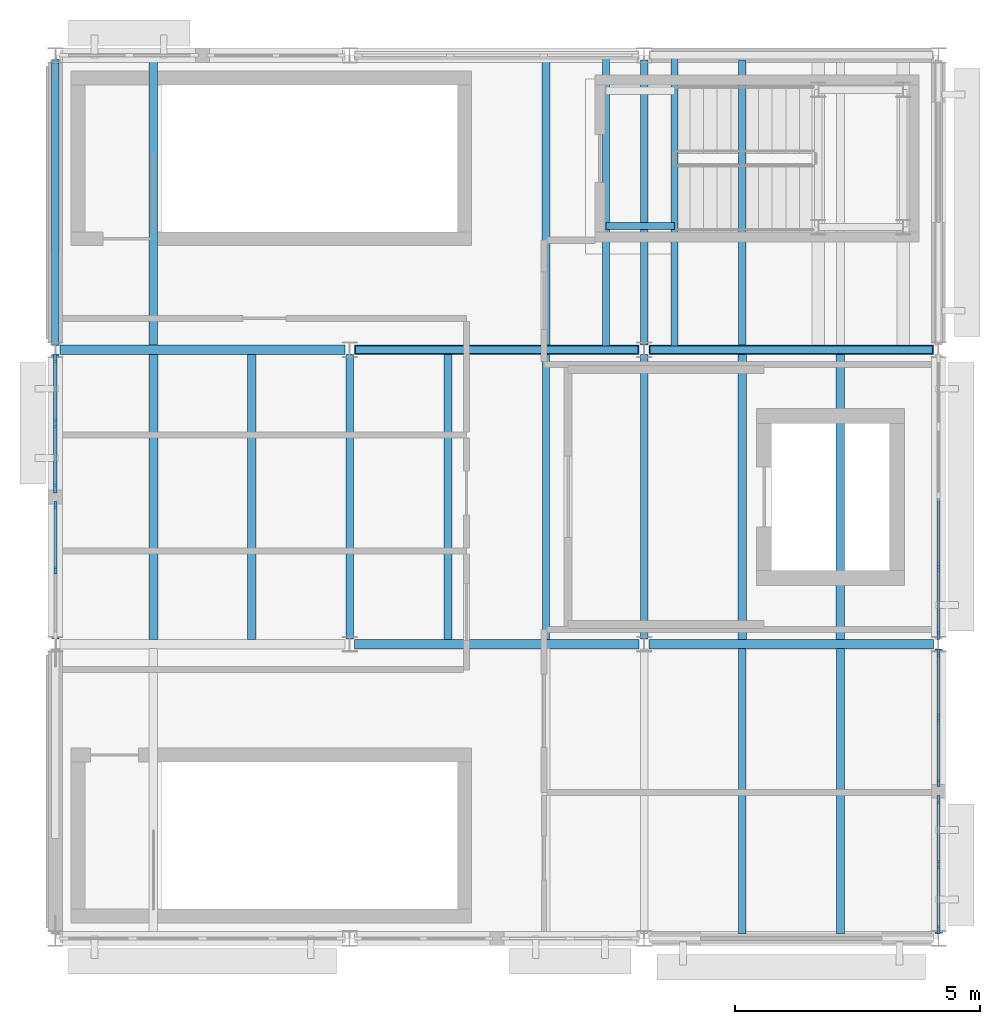
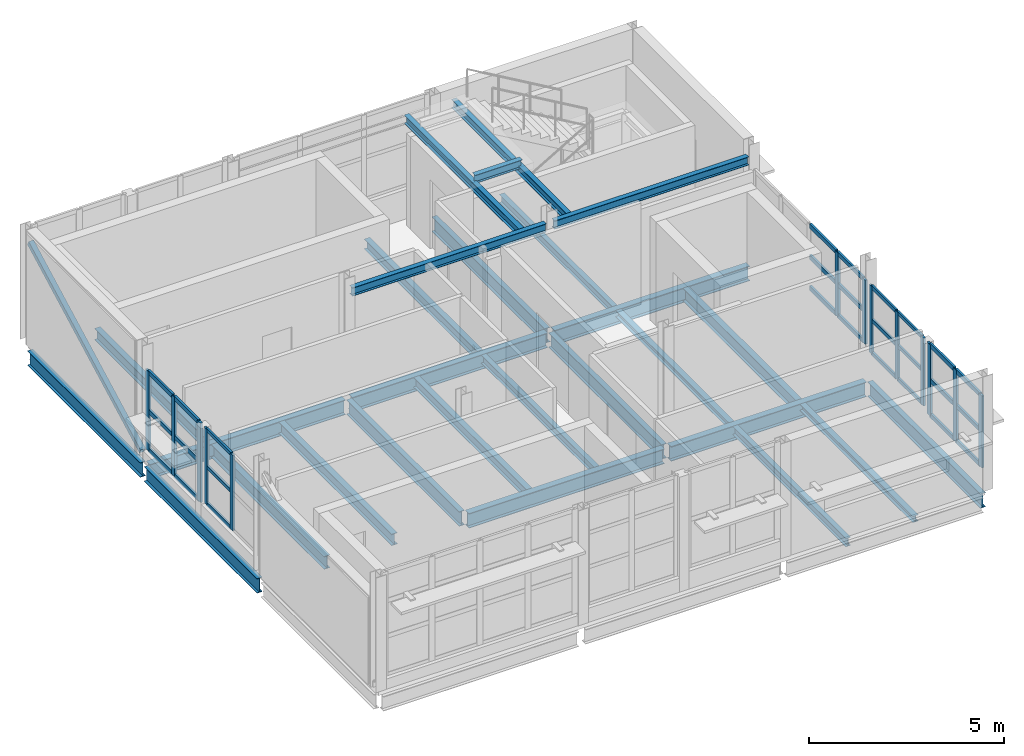
# One storey, part 2 of 8: 41 members, 27 beams, 5 elements without a shape of their own.
"""IFC4 building model written with IfcOpenShell, lengths in metres."""

from ifc_helpers import new_model, si_unit, direction, frame, origin, origin_2d, place, context, subcontext, project, spatial, rectangle, hollow_rectangle, i_section, extrude, material, material_profile, profile_set, type_object, element, aggregate, save


model = new_model("IFC4")

# Units and contexts
model_context = context("Model", 3, precision=1e-05, world=origin(), true_north=direction((0.0, 1.0)))
body_context = subcontext(model_context, "Body", "Model", "MODEL_VIEW")
ifc_project = project(units=[si_unit("LENGTHUNIT", "METRE"), si_unit("AREAUNIT", "SQUARE_METRE"), si_unit("VOLUMEUNIT", "CUBIC_METRE"), si_unit("PLANEANGLEUNIT", "RADIAN"), si_unit("MASSUNIT", "GRAM", prefix="KILO")], contexts=[model_context])

# Site, building, storey
site_placement = place(None, origin())
site = spatial("IfcSite", under=ifc_project, at=site_placement, CompositionType="ELEMENT")
building_placement = place(site_placement, origin())
building = spatial("IfcBuilding", under=site, at=building_placement, Name="Siltcreek Boulevard Central Fire Station", CompositionType="ELEMENT")
storey_placement = place(building_placement, frame((0.0, 0.0, 21.60009765625)))
storey = spatial("IfcBuildingStorey", under=building, at=storey_placement, Name="L06", CompositionType="ELEMENT", Elevation=21.60009765625)

# Beams
ifc_material_1 = material(Name="Structural steel ASTM A992 Gr50", Category="steel")
ifc_material_profile_1 = material_profile(ifc_material_1, i_section(OverallWidth=0.154052734375, OverallDepth=0.458984375, WebThickness=0.009033203125, FlangeThickness=0.015380859375, at=origin_2d()), Name="W460X68")
ifc_profile_set_1 = profile_set([ifc_material_profile_1], Name="Structural steel ASTM A992 Gr50")
beam_type_1 = type_object("IfcBeamType", Name="BM_W460X68", PredefinedType="BEAM", material=ifc_profile_set_1)
for number, where, z_axis, x_axis, name in (
    (1, (42.0, 100.300048828125, -0.469482421875), (0.0, 1.0, 0.0), (-1.0, 0.0, 0.0), "L06 primary steel girder GY-0676"),
    (2, (42.0, 106.300048828125, -0.469482421875), (0.0, 1.0, 0.0), (-1.0, 0.0, 0.0), "L06 primary steel girder GY-0677"),
    (3, (48.0, 100.300048828125, -0.469482421875), (0.0, 1.0, 0.0), (-1.0, 0.0, 0.0), "L06 primary steel girder GY-0678"),
    (4, (54.0, 100.300048828125, -0.469482421875), (0.0, 1.0, 0.0), (-1.0, 0.0, 0.0), "L06 primary steel girder GY-0680"),
    (5, (54.0, 106.300048828125, -0.469482421875), (0.0, 1.0, 0.0), (-1.0, 0.0, 0.0), "L06 primary steel girder GY-0681"),
    (6, (60.0, 94.300048828125, -0.469482421875), (0.0, 1.0, 0.0), (-1.0, 0.0, 0.0), "L06 primary steel girder GY-0682"),
):
    element("IfcBeam", number, at=place(storey_placement, frame(where, z_axis=z_axis, x_axis=x_axis)), inside=storey, type_object=beam_type_1, Name=name, PredefinedType="BEAM", context=body_context, shape_type="SweptSolid", body=[
        extrude(i_section(OverallWidth=0.154052734375, OverallDepth=0.458984375, WebThickness=0.009033203125, FlangeThickness=0.015380859375, at=origin_2d()), origin(), (0.0, 0.0, 1.0), 5.800048828125),
    ])
ifc_material_profile_2 = material_profile(ifc_material_1, i_section(OverallWidth=0.19189453125, OverallDepth=0.462890625, WebThickness=0.010498046875, FlangeThickness=0.017578125, at=origin_2d()), Name="W460X89")
ifc_profile_set_2 = profile_set([ifc_material_profile_2], Name="Structural steel ASTM A992 Gr50")
beam_type_2 = type_object("IfcBeamType", Name="BM_W460X89", PredefinedType="BEAM", material=ifc_profile_set_2)
for number, where, z_axis, x_axis, name in (
    (7, (48.10009765625, 100.199951171875, -0.4716796875), (1.0, 0.0, 0.0), (0.0, 1.0, 0.0), "L06 primary steel girder GX-0667"),
    (8, (54.10009765625, 100.199951171875, -0.4716796875), (1.0, 0.0, 0.0), (0.0, 1.0, 0.0), "L06 primary steel girder GX-0668"),
    (9, (42.10009765625, 106.199951171875, -0.4716796875), (1.0, 0.0, 0.0), (0.0, 1.0, 0.0), "L06 primary steel girder GX-0669"),
    (10, (48.10009765625, 106.199951171875, -0.4716796875), (1.0, 0.0, 0.0), (0.0, 1.0, 0.0), "L06 primary steel girder GX-0670"),
    (11, (54.10009765625, 106.199951171875, -0.4716796875), (1.0, 0.0, 0.0), (0.0, 1.0, 0.0), "L06 primary steel girder GX-0671"),
):
    element("IfcBeam", number, at=place(storey_placement, frame(where, z_axis=z_axis, x_axis=x_axis)), inside=storey, type_object=beam_type_2, Name=name, PredefinedType="BEAM", context=body_context, shape_type="SweptSolid", body=[
        extrude(i_section(OverallWidth=0.19189453125, OverallDepth=0.462890625, WebThickness=0.010498046875, FlangeThickness=0.017578125, at=origin_2d()), origin(), (0.0, 0.0, 1.0), 5.7998046875),
    ])

# Member
ifc_material_2 = material(Name="Structural steel ASTM A500 GrC", Category="steel")
ifc_material_profile_3 = material_profile(ifc_material_2, hollow_rectangle(XDim=0.14990234375, YDim=0.14990234375, WallThickness=0.00634765625, at=origin_2d()), Name="HSS150X150X6.4")
ifc_profile_set_3 = profile_set([ifc_material_profile_3], Name="Structural steel ASTM A500 GrC")
member_type_1 = type_object("IfcMemberType", Name="BR_HSS150_6", PredefinedType="BRACE", material=ifc_profile_set_3)
member_1_placement = place(storey_placement, frame((42.0, 106.320068359375, 0.099853515625), z_axis=(0.0, 0.883747822863, 0.467963444709), x_axis=(-1.0, 0.0, 0.0)))
element("IfcMember", 12, at=member_1_placement, inside=storey, type_object=member_type_1, Name="L06 SCBF concentrically braced frame BR-024", PredefinedType="BRACE", context=body_context, shape_type="SweptSolid", body=[
    extrude(hollow_rectangle(XDim=0.14990234375, YDim=0.14990234375, WallThickness=0.00634765625, at=origin_2d()), origin(), (0.0, 0.0, 1.0), 6.517822265625),
])

# Curtain wall, members
ifc_material_3 = material(Name="Anodized aluminum and low-E insulated glazing", Category="aluminium")
curtain_wall_type_1 = type_object("IfcCurtainWallType", Name="CW_SYS_26", PredefinedType="USERDEFINED", material=ifc_material_3)
curtain_wall_1_placement = place(storey_placement, origin())
curtain_wall_1 = element("IfcCurtainWall", 13, at=curtain_wall_1_placement, inside=storey, type_object=curtain_wall_type_1, Name="L06 V3 unitised curtain wall CW-085", ObjectType="CURTAIN WALL", PredefinedType="USERDEFINED")
ifc_material_4 = material(Name="Anodized 6063-T6 aluminum framing", Category="aluminium")
ifc_material_profile_4 = material_profile(ifc_material_4, rectangle(XDim=0.06005859375, YDim=0.14990234375, at=origin_2d()), Name="MULL60X150")
ifc_profile_set_4 = profile_set([ifc_material_profile_4], Name="Anodized 6063-T6 aluminum framing")
member_type_2 = type_object("IfcMemberType", Name="CWM_60X150", PredefinedType="MULLION", material=ifc_profile_set_4)
member_2_placement = place(storey_placement, frame((42.0, 103.030029296875, 0.43994140625), z_axis=(0.0, 0.0, 1.0), x_axis=(1.0, 0.0, 0.0)))
member_2 = element("IfcMember", 14, at=member_2_placement, type_object=member_type_2, Name="CW-085 mullion 1", PredefinedType="MULLION", context=body_context, shape_type="SweptSolid", body=[
    extrude(rectangle(XDim=0.06005859375, YDim=0.14990234375, at=origin_2d()), origin(), (0.0, 0.0, 1.0), 2.372802734375),
])
member_3_placement = place(storey_placement, frame((42.0, 101.702392578125, 0.43994140625), z_axis=(0.0, 0.0, 1.0), x_axis=(1.0, 0.0, 0.0)))
member_3 = element("IfcMember", 15, at=member_3_placement, type_object=member_type_2, Name="CW-085 mullion 2", PredefinedType="MULLION", context=body_context, shape_type="SweptSolid", body=[
    extrude(rectangle(XDim=0.06005859375, YDim=0.14990234375, at=origin_2d()), origin(), (0.0, 0.0, 1.0), 2.372802734375),
])

curtain_wall_type_2 = type_object("IfcCurtainWallType", Name="CW_SYS_28", PredefinedType="USERDEFINED", material=ifc_material_3)
curtain_wall_2_placement = place(storey_placement, origin())
curtain_wall_2 = element("IfcCurtainWall", 16, at=curtain_wall_2_placement, inside=storey, type_object=curtain_wall_type_2, Name="L06 V3 unitised curtain wall CW-087", ObjectType="CURTAIN WALL", PredefinedType="USERDEFINED")
member_4_placement = place(storey_placement, frame((60.0, 97.3701171875, 0.679931640625), z_axis=(0.0, 0.0, 1.0), x_axis=(-1.0, 0.0, 0.0)))
member_4 = element("IfcMember", 17, at=member_4_placement, type_object=member_type_2, Name="CW-087 mullion 1", PredefinedType="MULLION", context=body_context, shape_type="SweptSolid", body=[
    extrude(rectangle(XDim=0.06005859375, YDim=0.14990234375, at=origin_2d()), origin(), (0.0, 0.0, 1.0), 2.1328125),
])
member_5_placement = place(storey_placement, frame((60.0, 98.697509765625, 0.679931640625), z_axis=(0.0, 0.0, 1.0), x_axis=(-1.0, 0.0, 0.0)))
member_5 = element("IfcMember", 18, at=member_5_placement, type_object=member_type_2, Name="CW-087 mullion 2", PredefinedType="MULLION", context=body_context, shape_type="SweptSolid", body=[
    extrude(rectangle(XDim=0.06005859375, YDim=0.14990234375, at=origin_2d()), origin(), (0.0, 0.0, 1.0), 2.1328125),
])
member_6_placement = place(storey_placement, frame((60.0, 100.02490234375, 0.679931640625), z_axis=(0.0, 0.0, 1.0), x_axis=(-1.0, 0.0, 0.0)))
member_6 = element("IfcMember", 19, at=member_6_placement, type_object=member_type_2, Name="CW-087 mullion 3", PredefinedType="MULLION", context=body_context, shape_type="SweptSolid", body=[
    extrude(rectangle(XDim=0.06005859375, YDim=0.14990234375, at=origin_2d()), origin(), (0.0, 0.0, 1.0), 2.1328125),
])

curtain_wall_type_3 = type_object("IfcCurtainWallType", Name="CW_SYS_25", PredefinedType="USERDEFINED", material=ifc_material_3)
curtain_wall_3_placement = place(storey_placement, origin())
curtain_wall_3 = element("IfcCurtainWall", 20, at=curtain_wall_3_placement, inside=storey, type_object=curtain_wall_type_3, Name="L06 V3 unitised curtain wall CW-084", ObjectType="CURTAIN WALL", PredefinedType="USERDEFINED")
ifc_material_profile_5 = material_profile(ifc_material_4, rectangle(XDim=0.06494140625, YDim=0.175048828125, at=origin_2d()), Name="MULL65X175")
ifc_profile_set_5 = profile_set([ifc_material_profile_5], Name="Anodized 6063-T6 aluminum framing")
member_type_3 = type_object("IfcMemberType", Name="CWM_65X175", PredefinedType="MULLION", material=ifc_profile_set_5)
member_7_placement = place(storey_placement, frame((42.0, 106.0224609375, 0.31982421875), z_axis=(0.0, 0.0, 1.0), x_axis=(1.0, 0.0, 0.0)))
member_7 = element("IfcMember", 21, at=member_7_placement, type_object=member_type_3, Name="CW-084 mullion 1", PredefinedType="MULLION", context=body_context, shape_type="SweptSolid", body=[
    extrude(rectangle(XDim=0.06494140625, YDim=0.175048828125, at=origin_2d()), origin(), (0.0, 0.0, 1.0), 2.492919921875),
])
member_8_placement = place(storey_placement, frame((42.0, 104.697509765625, 0.31982421875), z_axis=(0.0, 0.0, 1.0), x_axis=(1.0, 0.0, 0.0)))
member_8 = element("IfcMember", 22, at=member_8_placement, type_object=member_type_3, Name="CW-084 mullion 2", PredefinedType="MULLION", context=body_context, shape_type="SweptSolid", body=[
    extrude(rectangle(XDim=0.06494140625, YDim=0.175048828125, at=origin_2d()), origin(), (0.0, 0.0, 1.0), 2.492919921875),
])
member_9_placement = place(storey_placement, frame((42.0, 103.37255859375, 0.31982421875), z_axis=(0.0, 0.0, 1.0), x_axis=(1.0, 0.0, 0.0)))
member_9 = element("IfcMember", 23, at=member_9_placement, type_object=member_type_3, Name="CW-084 mullion 3", PredefinedType="MULLION", context=body_context, shape_type="SweptSolid", body=[
    extrude(rectangle(XDim=0.06494140625, YDim=0.175048828125, at=origin_2d()), origin(), (0.0, 0.0, 1.0), 2.492919921875),
])

curtain_wall_type_4 = type_object("IfcCurtainWallType", Name="CW_SYS_27", PredefinedType="USERDEFINED", material=ifc_material_3)
curtain_wall_4_placement = place(storey_placement, origin())
curtain_wall_4 = element("IfcCurtainWall", 24, at=curtain_wall_4_placement, inside=storey, type_object=curtain_wall_type_4, Name="L06 V3 unitised curtain wall CW-086", ObjectType="CURTAIN WALL", PredefinedType="USERDEFINED")
member_10_placement = place(storey_placement, frame((60.0, 94.37744140625, 0.559814453125), z_axis=(0.0, 0.0, 1.0), x_axis=(-1.0, 0.0, 0.0)))
member_10 = element("IfcMember", 25, at=member_10_placement, type_object=member_type_3, Name="CW-086 mullion 1", PredefinedType="MULLION", context=body_context, shape_type="SweptSolid", body=[
    extrude(rectangle(XDim=0.06494140625, YDim=0.175048828125, at=origin_2d()), origin(), (0.0, 0.0, 1.0), 2.2529296875),
])
member_11_placement = place(storey_placement, frame((60.0, 95.702392578125, 0.559814453125), z_axis=(0.0, 0.0, 1.0), x_axis=(-1.0, 0.0, 0.0)))
member_11 = element("IfcMember", 26, at=member_11_placement, type_object=member_type_3, Name="CW-086 mullion 2", PredefinedType="MULLION", context=body_context, shape_type="SweptSolid", body=[
    extrude(rectangle(XDim=0.06494140625, YDim=0.175048828125, at=origin_2d()), origin(), (0.0, 0.0, 1.0), 2.2529296875),
])
member_12_placement = place(storey_placement, frame((60.0, 97.027587890625, 0.559814453125), z_axis=(0.0, 0.0, 1.0), x_axis=(-1.0, 0.0, 0.0)))
member_12 = element("IfcMember", 27, at=member_12_placement, type_object=member_type_3, Name="CW-086 mullion 3", PredefinedType="MULLION", context=body_context, shape_type="SweptSolid", body=[
    extrude(rectangle(XDim=0.06494140625, YDim=0.175048828125, at=origin_2d()), origin(), (0.0, 0.0, 1.0), 2.2529296875),
])

curtain_wall_type_5 = type_object("IfcCurtainWallType", Name="CW_SYS_29", PredefinedType="USERDEFINED", material=ifc_material_3)
curtain_wall_5_placement = place(storey_placement, origin())
curtain_wall_5 = element("IfcCurtainWall", 28, at=curtain_wall_5_placement, inside=storey, type_object=curtain_wall_type_5, Name="L06 V3 unitised curtain wall CW-088", ObjectType="CURTAIN WALL", PredefinedType="USERDEFINED")
member_13_placement = place(storey_placement, frame((60.0, 100.37744140625, 0.7998046875), z_axis=(0.0, 0.0, 1.0), x_axis=(-1.0, 0.0, 0.0)))
member_13 = element("IfcMember", 29, at=member_13_placement, type_object=member_type_3, Name="CW-088 mullion 1", PredefinedType="MULLION", context=body_context, shape_type="SweptSolid", body=[
    extrude(rectangle(XDim=0.06494140625, YDim=0.175048828125, at=origin_2d()), origin(), (0.0, 0.0, 1.0), 2.012939453125),
])
member_14_placement = place(storey_placement, frame((60.0, 101.7724609375, 0.7998046875), z_axis=(0.0, 0.0, 1.0), x_axis=(-1.0, 0.0, 0.0)))
member_14 = element("IfcMember", 30, at=member_14_placement, type_object=member_type_3, Name="CW-088 mullion 2", PredefinedType="MULLION", context=body_context, shape_type="SweptSolid", body=[
    extrude(rectangle(XDim=0.06494140625, YDim=0.175048828125, at=origin_2d()), origin(), (0.0, 0.0, 1.0), 2.012939453125),
])

# Member
ifc_material_profile_6 = material_profile(ifc_material_4, rectangle(XDim=0.06005859375, YDim=0.114990234375, at=origin_2d()), Name="TRAN60X115")
ifc_profile_set_6 = profile_set([ifc_material_profile_6], Name="Anodized 6063-T6 aluminum framing")
member_type_4 = type_object("IfcMemberType", Name="CWT_60X115", PredefinedType="USERDEFINED", material=ifc_profile_set_6)
member_15_placement = place(storey_placement, frame((42.0, 103.0, 0.469970703125), z_axis=(0.0, -1.0, 0.0), x_axis=(1.0, 0.0, 0.0)))
member_15 = element("IfcMember", 31, at=member_15_placement, type_object=member_type_4, Name="CW-085 transom 1.1", ObjectType="TRANSOM", PredefinedType="USERDEFINED", context=body_context, shape_type="SweptSolid", body=[
    extrude(rectangle(XDim=0.06005859375, YDim=0.114990234375, at=origin_2d()), origin(), (0.0, 0.0, 1.0), 1.267578125),
])

member_16_placement = place(storey_placement, frame((42.0, 103.0, 1.626220703125), z_axis=(0.0, -1.0, 0.0), x_axis=(1.0, 0.0, 0.0)))
member_16 = element("IfcMember", 32, at=member_16_placement, type_object=member_type_4, Name="CW-085 transom 1.2", ObjectType="TRANSOM", PredefinedType="USERDEFINED", context=body_context, shape_type="SweptSolid", body=[
    extrude(rectangle(XDim=0.06005859375, YDim=0.114990234375, at=origin_2d()), origin(), (0.0, 0.0, 1.0), 1.267578125),
])

member_17_placement = place(storey_placement, frame((42.0, 103.0, 2.78271484375), z_axis=(0.0, -1.0, 0.0), x_axis=(1.0, 0.0, 0.0)))
member_17 = element("IfcMember", 33, at=member_17_placement, type_object=member_type_4, Name="CW-085 transom 1.3", ObjectType="TRANSOM", PredefinedType="USERDEFINED", context=body_context, shape_type="SweptSolid", body=[
    extrude(rectangle(XDim=0.06005859375, YDim=0.114990234375, at=origin_2d()), origin(), (0.0, 0.0, 1.0), 1.267578125),
])

aggregate(curtain_wall_1, [member_2, member_3, member_15, member_16, member_17])

member_18_placement = place(storey_placement, frame((60.0, 97.39990234375, 0.7099609375), z_axis=(0.0, 1.0, 0.0), x_axis=(-1.0, 0.0, 0.0)))
member_18 = element("IfcMember", 34, at=member_18_placement, type_object=member_type_4, Name="CW-087 transom 1.1", ObjectType="TRANSOM", PredefinedType="USERDEFINED", context=body_context, shape_type="SweptSolid", body=[
    extrude(rectangle(XDim=0.06005859375, YDim=0.114990234375, at=origin_2d()), origin(), (0.0, 0.0, 1.0), 1.267578125),
])

member_19_placement = place(storey_placement, frame((60.0, 97.39990234375, 1.746337890625), z_axis=(0.0, 1.0, 0.0), x_axis=(-1.0, 0.0, 0.0)))
member_19 = element("IfcMember", 35, at=member_19_placement, type_object=member_type_4, Name="CW-087 transom 1.2", ObjectType="TRANSOM", PredefinedType="USERDEFINED", context=body_context, shape_type="SweptSolid", body=[
    extrude(rectangle(XDim=0.06005859375, YDim=0.114990234375, at=origin_2d()), origin(), (0.0, 0.0, 1.0), 1.267578125),
])

member_20_placement = place(storey_placement, frame((60.0, 97.39990234375, 2.78271484375), z_axis=(0.0, 1.0, 0.0), x_axis=(-1.0, 0.0, 0.0)))
member_20 = element("IfcMember", 36, at=member_20_placement, type_object=member_type_4, Name="CW-087 transom 1.3", ObjectType="TRANSOM", PredefinedType="USERDEFINED", context=body_context, shape_type="SweptSolid", body=[
    extrude(rectangle(XDim=0.06005859375, YDim=0.114990234375, at=origin_2d()), origin(), (0.0, 0.0, 1.0), 1.267578125),
])

member_21_placement = place(storey_placement, frame((60.0, 98.7275390625, 0.7099609375), z_axis=(0.0, 1.0, 0.0), x_axis=(-1.0, 0.0, 0.0)))
member_21 = element("IfcMember", 37, at=member_21_placement, type_object=member_type_4, Name="CW-087 transom 2.1", ObjectType="TRANSOM", PredefinedType="USERDEFINED", context=body_context, shape_type="SweptSolid", body=[
    extrude(rectangle(XDim=0.06005859375, YDim=0.114990234375, at=origin_2d()), origin(), (0.0, 0.0, 1.0), 1.267578125),
])

member_22_placement = place(storey_placement, frame((60.0, 98.7275390625, 1.746337890625), z_axis=(0.0, 1.0, 0.0), x_axis=(-1.0, 0.0, 0.0)))
member_22 = element("IfcMember", 38, at=member_22_placement, type_object=member_type_4, Name="CW-087 transom 2.2", ObjectType="TRANSOM", PredefinedType="USERDEFINED", context=body_context, shape_type="SweptSolid", body=[
    extrude(rectangle(XDim=0.06005859375, YDim=0.114990234375, at=origin_2d()), origin(), (0.0, 0.0, 1.0), 1.267578125),
])

member_23_placement = place(storey_placement, frame((60.0, 98.7275390625, 2.78271484375), z_axis=(0.0, 1.0, 0.0), x_axis=(-1.0, 0.0, 0.0)))
member_23 = element("IfcMember", 39, at=member_23_placement, type_object=member_type_4, Name="CW-087 transom 2.3", ObjectType="TRANSOM", PredefinedType="USERDEFINED", context=body_context, shape_type="SweptSolid", body=[
    extrude(rectangle(XDim=0.06005859375, YDim=0.114990234375, at=origin_2d()), origin(), (0.0, 0.0, 1.0), 1.267578125),
])

aggregate(curtain_wall_2, [member_4, member_5, member_6, member_18, member_19, member_20, member_21, member_22, member_23])

ifc_material_profile_7 = material_profile(ifc_material_4, rectangle(XDim=0.06494140625, YDim=0.135009765625, at=origin_2d()), Name="TRAN65X135")
ifc_profile_set_7 = profile_set([ifc_material_profile_7], Name="Anodized 6063-T6 aluminum framing")
member_type_5 = type_object("IfcMemberType", Name="CWT_65X135", PredefinedType="USERDEFINED", material=ifc_profile_set_7)
member_24_placement = place(storey_placement, frame((42.0, 105.989990234375, 0.352294921875), z_axis=(0.0, -1.0, 0.0), x_axis=(1.0, 0.0, 0.0)))
member_24 = element("IfcMember", 40, at=member_24_placement, type_object=member_type_5, Name="CW-084 transom 1.1", ObjectType="TRANSOM", PredefinedType="USERDEFINED", context=body_context, shape_type="SweptSolid", body=[
    extrude(rectangle(XDim=0.06494140625, YDim=0.135009765625, at=origin_2d()), origin(), (0.0, 0.0, 1.0), 1.260009765625),
])

member_25_placement = place(storey_placement, frame((42.0, 105.989990234375, 1.56640625), z_axis=(0.0, -1.0, 0.0), x_axis=(1.0, 0.0, 0.0)))
member_25 = element("IfcMember", 41, at=member_25_placement, type_object=member_type_5, Name="CW-084 transom 1.2", ObjectType="TRANSOM", PredefinedType="USERDEFINED", context=body_context, shape_type="SweptSolid", body=[
    extrude(rectangle(XDim=0.06494140625, YDim=0.135009765625, at=origin_2d()), origin(), (0.0, 0.0, 1.0), 1.260009765625),
])

member_26_placement = place(storey_placement, frame((42.0, 105.989990234375, 2.7802734375), z_axis=(0.0, -1.0, 0.0), x_axis=(1.0, 0.0, 0.0)))
member_26 = element("IfcMember", 42, at=member_26_placement, type_object=member_type_5, Name="CW-084 transom 1.3", ObjectType="TRANSOM", PredefinedType="USERDEFINED", context=body_context, shape_type="SweptSolid", body=[
    extrude(rectangle(XDim=0.06494140625, YDim=0.135009765625, at=origin_2d()), origin(), (0.0, 0.0, 1.0), 1.260009765625),
])

member_27_placement = place(storey_placement, frame((42.0, 104.6650390625, 0.352294921875), z_axis=(0.0, -1.0, 0.0), x_axis=(1.0, 0.0, 0.0)))
member_27 = element("IfcMember", 43, at=member_27_placement, type_object=member_type_5, Name="CW-084 transom 2.1", ObjectType="TRANSOM", PredefinedType="USERDEFINED", context=body_context, shape_type="SweptSolid", body=[
    extrude(rectangle(XDim=0.06494140625, YDim=0.135009765625, at=origin_2d()), origin(), (0.0, 0.0, 1.0), 1.260009765625),
])

member_28_placement = place(storey_placement, frame((42.0, 104.6650390625, 1.56640625), z_axis=(0.0, -1.0, 0.0), x_axis=(1.0, 0.0, 0.0)))
member_28 = element("IfcMember", 44, at=member_28_placement, type_object=member_type_5, Name="CW-084 transom 2.2", ObjectType="TRANSOM", PredefinedType="USERDEFINED", context=body_context, shape_type="SweptSolid", body=[
    extrude(rectangle(XDim=0.06494140625, YDim=0.135009765625, at=origin_2d()), origin(), (0.0, 0.0, 1.0), 1.260009765625),
])

member_29_placement = place(storey_placement, frame((42.0, 104.6650390625, 2.7802734375), z_axis=(0.0, -1.0, 0.0), x_axis=(1.0, 0.0, 0.0)))
member_29 = element("IfcMember", 45, at=member_29_placement, type_object=member_type_5, Name="CW-084 transom 2.3", ObjectType="TRANSOM", PredefinedType="USERDEFINED", context=body_context, shape_type="SweptSolid", body=[
    extrude(rectangle(XDim=0.06494140625, YDim=0.135009765625, at=origin_2d()), origin(), (0.0, 0.0, 1.0), 1.260009765625),
])

aggregate(curtain_wall_3, [member_7, member_8, member_9, member_24, member_25, member_26, member_27, member_28, member_29])

member_30_placement = place(storey_placement, frame((60.0, 94.409912109375, 0.59228515625), z_axis=(0.0, 1.0, 0.0), x_axis=(-1.0, 0.0, 0.0)))
member_30 = element("IfcMember", 46, at=member_30_placement, type_object=member_type_5, Name="CW-086 transom 1.1", ObjectType="TRANSOM", PredefinedType="USERDEFINED", context=body_context, shape_type="SweptSolid", body=[
    extrude(rectangle(XDim=0.06494140625, YDim=0.135009765625, at=origin_2d()), origin(), (0.0, 0.0, 1.0), 1.260009765625),
])

member_31_placement = place(storey_placement, frame((60.0, 94.409912109375, 1.6865234375), z_axis=(0.0, 1.0, 0.0), x_axis=(-1.0, 0.0, 0.0)))
member_31 = element("IfcMember", 47, at=member_31_placement, type_object=member_type_5, Name="CW-086 transom 1.2", ObjectType="TRANSOM", PredefinedType="USERDEFINED", context=body_context, shape_type="SweptSolid", body=[
    extrude(rectangle(XDim=0.06494140625, YDim=0.135009765625, at=origin_2d()), origin(), (0.0, 0.0, 1.0), 1.260009765625),
])

member_32_placement = place(storey_placement, frame((60.0, 94.409912109375, 2.7802734375), z_axis=(0.0, 1.0, 0.0), x_axis=(-1.0, 0.0, 0.0)))
member_32 = element("IfcMember", 48, at=member_32_placement, type_object=member_type_5, Name="CW-086 transom 1.3", ObjectType="TRANSOM", PredefinedType="USERDEFINED", context=body_context, shape_type="SweptSolid", body=[
    extrude(rectangle(XDim=0.06494140625, YDim=0.135009765625, at=origin_2d()), origin(), (0.0, 0.0, 1.0), 1.260009765625),
])

member_33_placement = place(storey_placement, frame((60.0, 95.735107421875, 0.59228515625), z_axis=(0.0, 1.0, 0.0), x_axis=(-1.0, 0.0, 0.0)))
member_33 = element("IfcMember", 49, at=member_33_placement, type_object=member_type_5, Name="CW-086 transom 2.1", ObjectType="TRANSOM", PredefinedType="USERDEFINED", context=body_context, shape_type="SweptSolid", body=[
    extrude(rectangle(XDim=0.06494140625, YDim=0.135009765625, at=origin_2d()), origin(), (0.0, 0.0, 1.0), 1.260009765625),
])

member_34_placement = place(storey_placement, frame((60.0, 95.735107421875, 1.6865234375), z_axis=(0.0, 1.0, 0.0), x_axis=(-1.0, 0.0, 0.0)))
member_34 = element("IfcMember", 50, at=member_34_placement, type_object=member_type_5, Name="CW-086 transom 2.2", ObjectType="TRANSOM", PredefinedType="USERDEFINED", context=body_context, shape_type="SweptSolid", body=[
    extrude(rectangle(XDim=0.06494140625, YDim=0.135009765625, at=origin_2d()), origin(), (0.0, 0.0, 1.0), 1.260009765625),
])

member_35_placement = place(storey_placement, frame((60.0, 95.735107421875, 2.7802734375), z_axis=(0.0, 1.0, 0.0), x_axis=(-1.0, 0.0, 0.0)))
member_35 = element("IfcMember", 51, at=member_35_placement, type_object=member_type_5, Name="CW-086 transom 2.3", ObjectType="TRANSOM", PredefinedType="USERDEFINED", context=body_context, shape_type="SweptSolid", body=[
    extrude(rectangle(XDim=0.06494140625, YDim=0.135009765625, at=origin_2d()), origin(), (0.0, 0.0, 1.0), 1.260009765625),
])

aggregate(curtain_wall_4, [member_10, member_11, member_12, member_30, member_31, member_32, member_33, member_34, member_35])

member_36_placement = place(storey_placement, frame((60.0, 100.409912109375, 0.83251953125), z_axis=(0.0, 1.0, 0.0), x_axis=(-1.0, 0.0, 0.0)))
member_36 = element("IfcMember", 52, at=member_36_placement, type_object=member_type_5, Name="CW-088 transom 1.1", ObjectType="TRANSOM", PredefinedType="USERDEFINED", context=body_context, shape_type="SweptSolid", body=[
    extrude(rectangle(XDim=0.06494140625, YDim=0.135009765625, at=origin_2d()), origin(), (0.0, 0.0, 1.0), 1.330078125),
])

member_37_placement = place(storey_placement, frame((60.0, 100.409912109375, 1.806396484375), z_axis=(0.0, 1.0, 0.0), x_axis=(-1.0, 0.0, 0.0)))
member_37 = element("IfcMember", 53, at=member_37_placement, type_object=member_type_5, Name="CW-088 transom 1.2", ObjectType="TRANSOM", PredefinedType="USERDEFINED", context=body_context, shape_type="SweptSolid", body=[
    extrude(rectangle(XDim=0.06494140625, YDim=0.135009765625, at=origin_2d()), origin(), (0.0, 0.0, 1.0), 1.330078125),
])

member_38_placement = place(storey_placement, frame((60.0, 100.409912109375, 2.7802734375), z_axis=(0.0, 1.0, 0.0), x_axis=(-1.0, 0.0, 0.0)))
member_38 = element("IfcMember", 54, at=member_38_placement, type_object=member_type_5, Name="CW-088 transom 1.3", ObjectType="TRANSOM", PredefinedType="USERDEFINED", context=body_context, shape_type="SweptSolid", body=[
    extrude(rectangle(XDim=0.06494140625, YDim=0.135009765625, at=origin_2d()), origin(), (0.0, 0.0, 1.0), 1.330078125),
])

member_39_placement = place(storey_placement, frame((60.0, 101.804931640625, 0.83251953125), z_axis=(0.0, 1.0, 0.0), x_axis=(-1.0, 0.0, 0.0)))
member_39 = element("IfcMember", 55, at=member_39_placement, type_object=member_type_5, Name="CW-088 transom 2.1", ObjectType="TRANSOM", PredefinedType="USERDEFINED", context=body_context, shape_type="SweptSolid", body=[
    extrude(rectangle(XDim=0.06494140625, YDim=0.135009765625, at=origin_2d()), origin(), (0.0, 0.0, 1.0), 1.362548828125),
])

member_40_placement = place(storey_placement, frame((60.0, 101.804931640625, 1.806396484375), z_axis=(0.0, 1.0, 0.0), x_axis=(-1.0, 0.0, 0.0)))
member_40 = element("IfcMember", 56, at=member_40_placement, type_object=member_type_5, Name="CW-088 transom 2.2", ObjectType="TRANSOM", PredefinedType="USERDEFINED", context=body_context, shape_type="SweptSolid", body=[
    extrude(rectangle(XDim=0.06494140625, YDim=0.135009765625, at=origin_2d()), origin(), (0.0, 0.0, 1.0), 1.362548828125),
])

member_41_placement = place(storey_placement, frame((60.0, 101.804931640625, 2.7802734375), z_axis=(0.0, 1.0, 0.0), x_axis=(-1.0, 0.0, 0.0)))
member_41 = element("IfcMember", 57, at=member_41_placement, type_object=member_type_5, Name="CW-088 transom 2.3", ObjectType="TRANSOM", PredefinedType="USERDEFINED", context=body_context, shape_type="SweptSolid", body=[
    extrude(rectangle(XDim=0.06494140625, YDim=0.135009765625, at=origin_2d()), origin(), (0.0, 0.0, 1.0), 1.362548828125),
])

aggregate(curtain_wall_5, [member_13, member_14, member_36, member_37, member_38, member_39, member_40, member_41])

# Beams
ifc_material_profile_8 = material_profile(ifc_material_1, i_section(OverallWidth=0.1650390625, OverallDepth=0.200927734375, WebThickness=0.006103515625, FlangeThickness=0.01025390625, at=origin_2d()), Name="W200X36")
ifc_profile_set_8 = profile_set([ifc_material_profile_8], Name="Structural steel ASTM A992 Gr50")
beam_type_3 = type_object("IfcBeamType", Name="JST_W200X36", PredefinedType="JOIST", material=ifc_profile_set_8)
for number, where, z_axis, x_axis, name in (
    (58, (58.0, 94.2939453125, -0.340576171875), (0.0, 1.0, 0.0), (-1.0, 0.0, 0.0), "L06 secondary steel floor joist 0558"),
    (59, (56.0, 100.2939453125, -0.340576171875), (0.0, 1.0, 0.0), (-1.0, 0.0, 0.0), "L06 secondary steel floor joist 0563"),
):
    element("IfcBeam", number, at=place(storey_placement, frame(where, z_axis=z_axis, x_axis=x_axis)), inside=storey, type_object=beam_type_3, Name=name, PredefinedType="JOIST", context=body_context, shape_type="SweptSolid", body=[
        extrude(i_section(OverallWidth=0.1650390625, OverallDepth=0.200927734375, WebThickness=0.006103515625, FlangeThickness=0.01025390625, at=origin_2d()), origin(), (0.0, 0.0, 1.0), 5.81201171875),
    ])
ifc_material_profile_9 = material_profile(ifc_material_1, i_section(OverallWidth=0.14697265625, OverallDepth=0.261962890625, WebThickness=0.006591796875, FlangeThickness=0.01123046875, at=origin_2d()), Name="W250X39")
ifc_profile_set_9 = profile_set([ifc_material_profile_9], Name="Structural steel ASTM A992 Gr50")
beam_type_4 = type_object("IfcBeamType", Name="JST_W250X39", PredefinedType="JOIST", material=ifc_profile_set_9)
for number, where, z_axis, x_axis, name in (
    (60, (56.0, 94.2939453125, -0.37109375), (0.0, 1.0, 0.0), (-1.0, 0.0, 0.0), "L06 secondary steel floor joist 0557"),
    (61, (52.0, 100.2939453125, -0.37109375), (0.0, 1.0, 0.0), (-1.0, 0.0, 0.0), "L06 secondary steel floor joist 0562"),
    (62, (56.0, 106.2939453125, -0.37109375), (0.0, 1.0, 0.0), (-1.0, 0.0, 0.0), "L06 secondary steel floor joist 0567"),
):
    element("IfcBeam", number, at=place(storey_placement, frame(where, z_axis=z_axis, x_axis=x_axis)), inside=storey, type_object=beam_type_4, Name=name, PredefinedType="JOIST", context=body_context, shape_type="SweptSolid", body=[
        extrude(i_section(OverallWidth=0.14697265625, OverallDepth=0.261962890625, WebThickness=0.006591796875, FlangeThickness=0.01123046875, at=origin_2d()), origin(), (0.0, 0.0, 1.0), 5.81201171875),
    ])
for number, where, z_axis, x_axis, name in (
    (63, (54.1201171875, 106.199951171875, 3.048828125), (1.0, 0.0, 0.0), (0.0, 1.0, 0.0), "L06 ST-V3-RF ARR landing header HDRS-1"),
    (64, (48.1201171875, 106.199951171875, 3.048828125), (1.0, 0.0, 0.0), (0.0, 1.0, 0.0), "L06 ST-V3-RF ARR landing header HDRS-2"),
):
    element("IfcBeam", number, at=place(storey_placement, frame(where, z_axis=z_axis, x_axis=x_axis)), inside=storey, type_object=beam_type_4, Name=name, PredefinedType="JOIST", context=body_context, shape_type="SweptSolid", body=[
        extrude(i_section(OverallWidth=0.14697265625, OverallDepth=0.261962890625, WebThickness=0.006591796875, FlangeThickness=0.01123046875, at=origin_2d()), origin(), (0.0, 0.0, 1.0), 5.759765625),
    ])
for number, where, z_axis, x_axis, name in (
    (65, (53.219970703125, 106.219970703125, 3.048828125), (0.0, 1.0, 0.0), (-1.0, 0.0, 0.0), "L06 ST-V3-RF ARR landing bearer W"),
    (66, (54.6201171875, 106.219970703125, 3.048828125), (0.0, 1.0, 0.0), (-1.0, 0.0, 0.0), "L06 ST-V3-RF ARR landing bearer E"),
):
    element("IfcBeam", number, at=place(storey_placement, frame(where, z_axis=z_axis, x_axis=x_axis)), inside=storey, type_object=beam_type_4, Name=name, PredefinedType="JOIST", context=body_context, shape_type="SweptSolid", body=[
        extrude(i_section(OverallWidth=0.14697265625, OverallDepth=0.261962890625, WebThickness=0.006591796875, FlangeThickness=0.01123046875, at=origin_2d()), origin(), (0.0, 0.0, 1.0), 5.9599609375),
    ])
beam_placement = place(storey_placement, frame((53.219970703125, 108.719970703125, 3.268798828125), z_axis=(1.0, 0.0, 0.0), x_axis=(0.0, 1.0, 0.0)))
element("IfcBeam", 67, at=beam_placement, inside=storey, type_object=beam_type_4, Name="L06 ST-V3-RF ARR landing cross-bearer S", PredefinedType="JOIST", context=body_context, shape_type="SweptSolid", body=[
    extrude(i_section(OverallWidth=0.14697265625, OverallDepth=0.261962890625, WebThickness=0.006591796875, FlangeThickness=0.01123046875, at=origin_2d()), origin(), (0.0, 0.0, 1.0), 1.400146484375),
])
ifc_material_profile_10 = material_profile(ifc_material_1, i_section(OverallWidth=0.166015625, OverallDepth=0.31298828125, WebThickness=0.006591796875, FlangeThickness=0.01123046875, at=origin_2d()), Name="W310X45")
ifc_profile_set_10 = profile_set([ifc_material_profile_10], Name="Structural steel ASTM A992 Gr50")
beam_type_5 = type_object("IfcBeamType", Name="JST_W310X45", PredefinedType="JOIST", material=ifc_profile_set_10)
for number, where, z_axis, x_axis, name in (
    (68, (50.0, 100.2939453125, -0.396484375), (0.0, 1.0, 0.0), (-1.0, 0.0, 0.0), "L06 secondary steel floor joist 0561"),
    (69, (52.0, 106.2939453125, -0.396484375), (0.0, 1.0, 0.0), (-1.0, 0.0, 0.0), "L06 secondary steel floor joist 0566"),
):
    element("IfcBeam", number, at=place(storey_placement, frame(where, z_axis=z_axis, x_axis=x_axis)), inside=storey, type_object=beam_type_5, Name=name, PredefinedType="JOIST", context=body_context, shape_type="SweptSolid", body=[
        extrude(i_section(OverallWidth=0.166015625, OverallDepth=0.31298828125, WebThickness=0.006591796875, FlangeThickness=0.01123046875, at=origin_2d()), origin(), (0.0, 0.0, 1.0), 5.81201171875),
    ])
ifc_material_profile_11 = material_profile(ifc_material_1, i_section(OverallWidth=0.172119140625, OverallDepth=0.35791015625, WebThickness=0.0078125, FlangeThickness=0.01318359375, at=origin_2d()), Name="W360X57")
ifc_profile_set_11 = profile_set([ifc_material_profile_11], Name="Structural steel ASTM A992 Gr50")
beam_type_6 = type_object("IfcBeamType", Name="JST_W360X57", PredefinedType="JOIST", material=ifc_profile_set_11)
for number, where, z_axis, x_axis, name in (
    (70, (46.0, 100.2939453125, -0.419189453125), (0.0, 1.0, 0.0), (-1.0, 0.0, 0.0), "L06 secondary steel floor joist 0560"),
    (71, (44.0, 106.2939453125, -0.419189453125), (0.0, 1.0, 0.0), (-1.0, 0.0, 0.0), "L06 secondary steel floor joist 0565"),
):
    element("IfcBeam", number, at=place(storey_placement, frame(where, z_axis=z_axis, x_axis=x_axis)), inside=storey, type_object=beam_type_6, Name=name, PredefinedType="JOIST", context=body_context, shape_type="SweptSolid", body=[
        extrude(i_section(OverallWidth=0.172119140625, OverallDepth=0.35791015625, WebThickness=0.0078125, FlangeThickness=0.01318359375, at=origin_2d()), origin(), (0.0, 0.0, 1.0), 5.81201171875),
    ])
ifc_material_profile_12 = material_profile(ifc_material_1, i_section(OverallWidth=0.177001953125, OverallDepth=0.403076171875, WebThickness=0.007568359375, FlangeThickness=0.010986328125, at=origin_2d()), Name="W410X53")
ifc_profile_set_12 = profile_set([ifc_material_profile_12], Name="Structural steel ASTM A992 Gr50")
beam_type_7 = type_object("IfcBeamType", Name="JST_W410X53", PredefinedType="JOIST", material=ifc_profile_set_12)
for number, where, z_axis, x_axis, name in (
    (72, (44.0, 100.2939453125, -0.441650390625), (0.0, 1.0, 0.0), (-1.0, 0.0, 0.0), "L06 secondary steel floor joist 0559"),
    (73, (58.0, 100.2939453125, -0.441650390625), (0.0, 1.0, 0.0), (-1.0, 0.0, 0.0), "L06 secondary steel floor joist 0564"),
):
    element("IfcBeam", number, at=place(storey_placement, frame(where, z_axis=z_axis, x_axis=x_axis)), inside=storey, type_object=beam_type_7, Name=name, PredefinedType="JOIST", context=body_context, shape_type="SweptSolid", body=[
        extrude(i_section(OverallWidth=0.177001953125, OverallDepth=0.403076171875, WebThickness=0.007568359375, FlangeThickness=0.010986328125, at=origin_2d()), origin(), (0.0, 0.0, 1.0), 5.81201171875),
    ])

save(model, "model.ifc")
